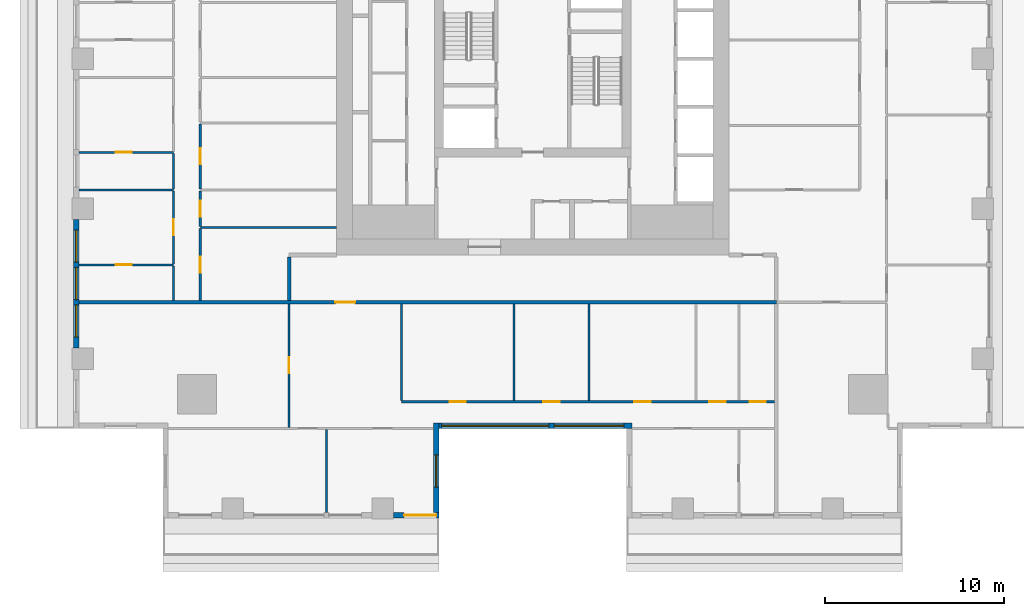
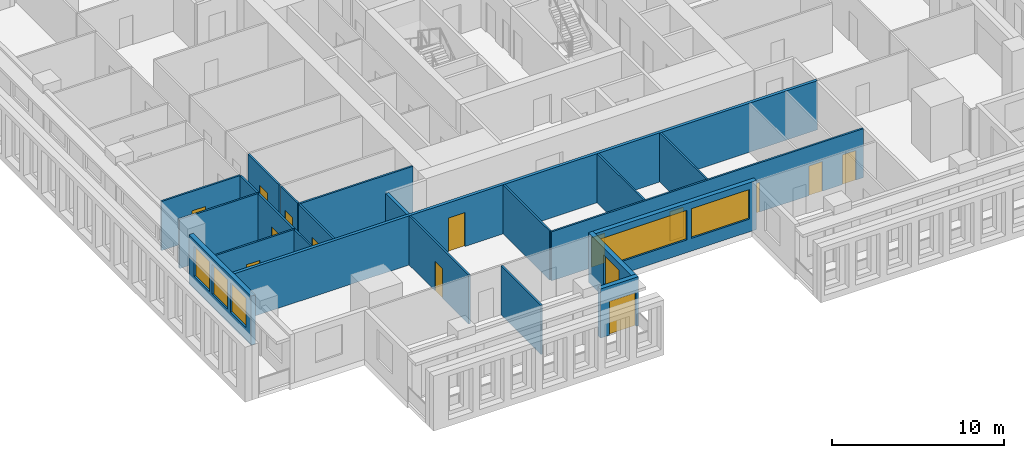
# One storey, part 2 of 15: 22 walls, 14 doors, 6 windows, 20 openings.
"""IFC4 building model written with IfcOpenShell, lengths in metres."""

from ifc_helpers import new_model, si_unit, direction, frame, frame_2d, origin, place, context, subcontext, project, spatial, rectangle, extrude, material, layer, layer_set, type_object, element, fill, save


model = new_model("IFC4")

# Units and contexts
model_context = context("Model", 3, precision=1e-05, world=origin(), true_north=direction((0.0, 1.0)))
body_context = subcontext(model_context, "Body", "Model", "MODEL_VIEW")
ifc_project = project(units=[si_unit("LENGTHUNIT", "METRE"), si_unit("AREAUNIT", "SQUARE_METRE"), si_unit("VOLUMEUNIT", "CUBIC_METRE"), si_unit("PLANEANGLEUNIT", "RADIAN"), si_unit("MASSUNIT", "GRAM", prefix="KILO")], contexts=[model_context])

# Site, building, storey
site_placement = place(None, origin())
site = spatial("IfcSite", under=ifc_project, at=site_placement, CompositionType="ELEMENT")
building_placement = place(site_placement, origin())
building = spatial("IfcBuilding", under=site, at=building_placement, Name="Khepri Terraces", CompositionType="ELEMENT")
storey_placement = place(building_placement, frame((0.0, 0.0, 252.300048828125)))
storey = spatial("IfcBuildingStorey", under=building, at=storey_placement, Name="L60", CompositionType="ELEMENT", Elevation=252.300048828125)

# Wall, opening, door
ifc_material_1 = material(Name="Fire-rated gypsum plasterboard partition, mineral wool")
ifc_layer_1 = layer(ifc_material_1, 0.199951171875, Name="Fire-rated gypsum plasterboard partition, mineral wool")
ifc_layer_set_1 = layer_set([ifc_layer_1], Name="Fire-rated gypsum plasterboard partition, mineral wool")
wall_type_1 = type_object("IfcWallType", Name="WL-CORR-200", PredefinedType="PARTITIONING", material=ifc_layer_set_1)
wall_1_placement = place(storey_placement, frame((-25.419921875, -13.64990234375, 0.0), z_axis=(0.0, 0.0, 1.0), x_axis=(1.0, 0.0, 0.0)))
wall_1 = element("IfcWall", 1, at=wall_1_placement, inside=storey, type_object=wall_type_1, Name="Partition P-016 L60", PredefinedType="PARTITIONING", context=body_context, shape_type="SweptSolid", body=[
    extrude(rectangle(XDim=39.06982421875, YDim=0.199951171875, at=frame_2d((19.534912109375, 0.0))), origin(), (0.0, 0.0, 1.0), 3.47998046875),
])
opening_1_placement = place(wall_1_placement, frame((14.3701171875, 0.0, 0.0)))
opening_1 = element("IfcOpeningElement", 2, at=opening_1_placement, cuts=wall_1, Name="Opening D1", PredefinedType="OPENING", context=body_context, shape_type="SweptSolid", body=[
    extrude(rectangle(XDim=1.10009765625, YDim=2.39990234375, at=frame_2d((0.550048828125, 1.199951171875))), frame((0.0, 0.10986328125, 0.0), z_axis=(0.0, -1.0, 0.0), x_axis=(1.0, 0.0, 0.0)), (0.0, 0.0, 1.0), 0.219970703125),
])
ifc_material_2 = material(Name="Solid-core timber door leaf, flat entrance door", Category="wood")
door_type_1 = type_object("IfcDoorType", Name="DR-ENT-1100", OperationType="NOTDEFINED", PredefinedType="DOOR", material=ifc_material_2)
door_1_placement = place(opening_1_placement, frame((1.10009765625, 0.0, 0.0), z_axis=(0.0, 0.0, 1.0), x_axis=(-1.0, 0.0, 0.0)))
door_1 = element("IfcDoor", 3, at=door_1_placement, inside=storey, type_object=door_type_1, Name="Flat A1 entrance door", OperationType="SINGLE_SWING_RIGHT", OverallHeight=2.39990234375, OverallWidth=1.10009765625, PredefinedType="DOOR", context=body_context, shape_type="SweptSolid", body=[
    extrude(rectangle(XDim=1.10009765625, YDim=2.39990234375, at=frame_2d((0.550048828125, 1.199951171875))), frame((0.0, 0.02490234375, 0.0), z_axis=(0.0, -1.0, 0.0), x_axis=(1.0, 0.0, 0.0)), (0.0, 0.0, 1.0), 0.050048828125),
])
fill(opening_1, door_1)

# Wall
wall_2_placement = place(storey_placement, frame((-13.64990234375, -13.550048828125, 0.0), z_axis=(0.0, 0.0, 1.0), x_axis=(0.0, 1.0, 0.0)))
element("IfcWall", 4, at=wall_2_placement, inside=storey, type_object=wall_type_1, Name="Partition P-021 L60", PredefinedType="PARTITIONING", context=body_context, shape_type="SweptSolid", body=[
    extrude(rectangle(XDim=2.449951171875, YDim=0.199951171875, at=frame_2d((1.22509765625, 0.0))), origin(), (0.0, 0.0, 1.0), 3.47998046875),
])

# Wall, openings, windows
ifc_material_3 = material(Name="Precast concrete C50/60 warm stone", Category="masonry")
ifc_layer_2 = layer(ifc_material_3, 0.300048828125, Name="Precast concrete C50/60 warm stone", Category="masonry")
ifc_layer_set_2 = layer_set([ifc_layer_2], Name="Precast concrete C50/60 warm stone")
wall_type_2 = type_object("IfcWallType", Name="WL-EXT-PRECAST-300", PredefinedType="STANDARD", material=ifc_layer_set_2)
wall_3_placement = place(storey_placement, frame((-25.570068359375, -9.0, 0.0), z_axis=(0.0, 0.0, 1.0), x_axis=(0.0, -1.0, 0.0)))
wall_3 = element("IfcWall", 5, at=wall_3_placement, inside=storey, type_object=wall_type_2, Name="External wall L60 W", PredefinedType="STANDARD", context=body_context, shape_type="SweptSolid", body=[
    extrude(rectangle(XDim=7.199951171875, YDim=0.300048828125, at=frame_2d((3.60009765625, 0.0))), origin(), (0.0, 0.0, 1.0), 3.47998046875),
])
opening_2_placement = place(wall_3_placement, frame((0.60009765625, 0.0, 0.89990234375)))
opening_2 = element("IfcOpeningElement", 6, at=opening_2_placement, cuts=wall_3, Name="Opening W1", PredefinedType="OPENING", context=body_context, shape_type="SweptSolid", body=[
    extrude(rectangle(XDim=1.800048828125, YDim=2.10009765625, at=frame_2d((0.89990234375, 1.050048828125))), frame((0.0, 0.16015625, 0.0), z_axis=(0.0, -1.0, 0.0), x_axis=(1.0, 0.0, 0.0)), (0.0, 0.0, 1.0), 0.320068359375),
])
opening_3_placement = place(wall_3_placement, frame((2.699951171875, 0.0, 0.89990234375)))
opening_3 = element("IfcOpeningElement", 7, at=opening_3_placement, cuts=wall_3, Name="Opening W1", PredefinedType="OPENING", context=body_context, shape_type="SweptSolid", body=[
    extrude(rectangle(XDim=1.800048828125, YDim=2.10009765625, at=frame_2d((0.89990234375, 1.050048828125))), frame((0.0, 0.16015625, 0.0), z_axis=(0.0, -1.0, 0.0), x_axis=(1.0, 0.0, 0.0)), (0.0, 0.0, 1.0), 0.320068359375),
])
opening_4_placement = place(wall_3_placement, frame((4.800048828125, 0.0, 0.89990234375)))
opening_4 = element("IfcOpeningElement", 8, at=opening_4_placement, cuts=wall_3, Name="Opening W1", PredefinedType="OPENING", context=body_context, shape_type="SweptSolid", body=[
    extrude(rectangle(XDim=1.800048828125, YDim=2.10009765625, at=frame_2d((0.89990234375, 1.050048828125))), frame((0.0, 0.16015625, 0.0), z_axis=(0.0, -1.0, 0.0), x_axis=(1.0, 0.0, 0.0)), (0.0, 0.0, 1.0), 0.320068359375),
])
ifc_material_4 = material(Name="Clear glass", Category="glass")
window_type_1 = type_object("IfcWindowType", Name="WIN-RES-1800x2100", PartitioningType="SINGLE_PANEL", PredefinedType="WINDOW", material=ifc_material_4)
window_1_placement = place(opening_2_placement, origin())
window_1 = element("IfcWindow", 9, at=window_1_placement, inside=storey, type_object=window_type_1, Name="Window L60 W", OverallHeight=2.10009765625, OverallWidth=1.800048828125, PartitioningType="SINGLE_PANEL", PredefinedType="WINDOW", context=body_context, shape_type="SweptSolid", body=[
    extrude(rectangle(XDim=1.800048828125, YDim=2.10009765625, at=frame_2d((0.89990234375, 1.050048828125))), frame((0.0, 0.030029296875, 0.0), z_axis=(0.0, -1.0, 0.0), x_axis=(1.0, 0.0, 0.0)), (0.0, 0.0, 1.0), 0.06005859375),
])
fill(opening_2, window_1)
window_2_placement = place(opening_3_placement, origin())
window_2 = element("IfcWindow", 10, at=window_2_placement, inside=storey, type_object=window_type_1, Name="Window L60 W", OverallHeight=2.10009765625, OverallWidth=1.800048828125, PartitioningType="SINGLE_PANEL", PredefinedType="WINDOW", context=body_context, shape_type="SweptSolid", body=[
    extrude(rectangle(XDim=1.800048828125, YDim=2.10009765625, at=frame_2d((0.89990234375, 1.050048828125))), frame((0.0, 0.030029296875, 0.0), z_axis=(0.0, -1.0, 0.0), x_axis=(1.0, 0.0, 0.0)), (0.0, 0.0, 1.0), 0.06005859375),
])
fill(opening_3, window_2)
window_3_placement = place(opening_4_placement, origin())
window_3 = element("IfcWindow", 11, at=window_3_placement, inside=storey, type_object=window_type_1, Name="Window L60 W", OverallHeight=2.10009765625, OverallWidth=1.800048828125, PartitioningType="SINGLE_PANEL", PredefinedType="WINDOW", context=body_context, shape_type="SweptSolid", body=[
    extrude(rectangle(XDim=1.800048828125, YDim=2.10009765625, at=frame_2d((0.89990234375, 1.050048828125))), frame((0.0, 0.030029296875, 0.0), z_axis=(0.0, -1.0, 0.0), x_axis=(1.0, 0.0, 0.0)), (0.0, 0.0, 1.0), 0.06005859375),
])
fill(opening_4, window_3)

# Wall, opening, door
wall_4_placement = place(storey_placement, frame((-7.800048828125, -25.570068359375, 0.0), z_axis=(0.0, 0.0, 1.0), x_axis=(1.0, 0.0, 0.0)))
wall_4 = element("IfcWall", 12, at=wall_4_placement, inside=storey, type_object=wall_type_2, Name="External wall L60 S", PredefinedType="STANDARD", context=body_context, shape_type="SweptSolid", body=[
    extrude(rectangle(XDim=2.550048828125, YDim=0.300048828125, at=frame_2d((1.27490234375, 0.0))), origin(), (0.0, 0.0, 1.0), 3.47998046875),
])
opening_5_placement = place(wall_4_placement, frame((0.60009765625, 0.0, 0.0)))
opening_5 = element("IfcOpeningElement", 13, at=opening_5_placement, cuts=wall_4, Name="Opening ED-L60-18", PredefinedType="OPENING", context=body_context, shape_type="SweptSolid", body=[
    extrude(rectangle(XDim=1.800048828125, YDim=2.39990234375, at=frame_2d((0.89990234375, 1.199951171875))), frame((0.0, 0.16015625, 0.0), z_axis=(0.0, -1.0, 0.0), x_axis=(1.0, 0.0, 0.0)), (0.0, 0.0, 1.0), 0.320068359375),
])
ifc_material_5 = material(Name="Anodised aluminium bronze glazed door", Category="aluminium")
door_type_2 = type_object("IfcDoorType", Name="DR-BAL-SLIDE-1800x2400", OperationType="NOTDEFINED", PredefinedType="DOOR", material=ifc_material_5)
door_2_placement = place(opening_5_placement, origin())
door_2 = element("IfcDoor", 14, at=door_2_placement, inside=storey, type_object=door_type_2, Name="Balcony door L60 S", OperationType="SLIDING_TO_LEFT", OverallHeight=2.39990234375, OverallWidth=1.800048828125, PredefinedType="DOOR", context=body_context, shape_type="SweptSolid", body=[
    extrude(rectangle(XDim=1.800048828125, YDim=2.39990234375, at=frame_2d((0.89990234375, 1.199951171875))), frame((0.0, 0.02490234375, 0.0), z_axis=(0.0, -1.0, 0.0), x_axis=(1.0, 0.0, 0.0)), (0.0, 0.0, 1.0), 0.050048828125),
])
fill(opening_5, door_2)

# Wall, opening, window
wall_5_placement = place(storey_placement, frame((-5.39990234375, -25.419921875, 0.0), z_axis=(0.0, 0.0, 1.0), x_axis=(0.0, 1.0, 0.0)))
wall_5 = element("IfcWall", 15, at=wall_5_placement, inside=storey, type_object=wall_type_2, Name="External wall L60 E", PredefinedType="STANDARD", context=body_context, shape_type="SweptSolid", body=[
    extrude(rectangle(XDim=5.0, YDim=0.300048828125, at=frame_2d((2.5, 0.0))), origin(), (0.0, 0.0, 1.0), 3.47998046875),
])
opening_6_placement = place(wall_5_placement, frame((1.419921875, 0.0, 0.89990234375)))
opening_6 = element("IfcOpeningElement", 16, at=opening_6_placement, cuts=wall_5, Name="Opening W1", PredefinedType="OPENING", context=body_context, shape_type="SweptSolid", body=[
    extrude(rectangle(XDim=1.800048828125, YDim=2.10009765625, at=frame_2d((0.89990234375, 1.050048828125))), frame((0.0, 0.16015625, 0.0), z_axis=(0.0, -1.0, 0.0), x_axis=(1.0, 0.0, 0.0)), (0.0, 0.0, 1.0), 0.320068359375),
])
window_4_placement = place(opening_6_placement, origin())
window_4 = element("IfcWindow", 17, at=window_4_placement, inside=storey, type_object=window_type_1, Name="Window L60 E", OverallHeight=2.10009765625, OverallWidth=1.800048828125, PartitioningType="SINGLE_PANEL", PredefinedType="WINDOW", context=body_context, shape_type="SweptSolid", body=[
    extrude(rectangle(XDim=1.800048828125, YDim=2.10009765625, at=frame_2d((0.89990234375, 1.050048828125))), frame((0.0, 0.030029296875, 0.0), z_axis=(0.0, -1.0, 0.0), x_axis=(1.0, 0.0, 0.0)), (0.0, 0.0, 1.0), 0.06005859375),
])
fill(opening_6, window_4)

# Wall, openings, windows
wall_6_placement = place(storey_placement, frame((-5.25, -20.570068359375, 0.0), z_axis=(0.0, 0.0, 1.0), x_axis=(1.0, 0.0, 0.0)))
wall_6 = element("IfcWall", 18, at=wall_6_placement, inside=storey, type_object=wall_type_2, Name="External wall L60 S", PredefinedType="STANDARD", context=body_context, shape_type="SweptSolid", body=[
    extrude(rectangle(XDim=10.800048828125, YDim=0.300048828125, at=frame_2d((5.39990234375, 0.0))), origin(), (0.0, 0.0, 1.0), 3.47998046875),
])
opening_7_placement = place(wall_6_placement, frame((0.14990234375, 0.0, 0.89990234375)))
opening_7 = element("IfcOpeningElement", 19, at=opening_7_placement, cuts=wall_6, Name="Opening W3", PredefinedType="OPENING", context=body_context, shape_type="SweptSolid", body=[
    extrude(rectangle(XDim=6.0, YDim=2.10009765625, at=frame_2d((3.0, 1.050048828125))), frame((0.0, 0.16015625, 0.0), z_axis=(0.0, -1.0, 0.0), x_axis=(1.0, 0.0, 0.0)), (0.0, 0.0, 1.0), 0.320068359375),
])
opening_8_placement = place(wall_6_placement, frame((6.449951171875, 0.0, 0.89990234375)))
opening_8 = element("IfcOpeningElement", 20, at=opening_8_placement, cuts=wall_6, Name="Opening W2", PredefinedType="OPENING", context=body_context, shape_type="SweptSolid", body=[
    extrude(rectangle(XDim=3.89990234375, YDim=2.10009765625, at=frame_2d((1.949951171875, 1.050048828125))), frame((0.0, 0.16015625, 0.0), z_axis=(0.0, -1.0, 0.0), x_axis=(1.0, 0.0, 0.0)), (0.0, 0.0, 1.0), 0.320068359375),
])
window_type_2 = type_object("IfcWindowType", Name="WIN-RES-3900x2100", PartitioningType="SINGLE_PANEL", PredefinedType="WINDOW", material=ifc_material_4)
window_5_placement = place(opening_8_placement, origin())
window_5 = element("IfcWindow", 21, at=window_5_placement, inside=storey, type_object=window_type_2, Name="Window L60 S", OverallHeight=2.10009765625, OverallWidth=3.89990234375, PartitioningType="SINGLE_PANEL", PredefinedType="WINDOW", context=body_context, shape_type="SweptSolid", body=[
    extrude(rectangle(XDim=3.89990234375, YDim=2.10009765625, at=frame_2d((1.949951171875, 1.050048828125))), frame((0.0, 0.030029296875, 0.0), z_axis=(0.0, -1.0, 0.0), x_axis=(1.0, 0.0, 0.0)), (0.0, 0.0, 1.0), 0.06005859375),
])
fill(opening_8, window_5)
window_type_3 = type_object("IfcWindowType", Name="WIN-RES-6000x2100", PartitioningType="SINGLE_PANEL", PredefinedType="WINDOW", material=ifc_material_4)
window_6_placement = place(opening_7_placement, origin())
window_6 = element("IfcWindow", 22, at=window_6_placement, inside=storey, type_object=window_type_3, Name="Window L60 S", OverallHeight=2.10009765625, OverallWidth=6.0, PartitioningType="SINGLE_PANEL", PredefinedType="WINDOW", context=body_context, shape_type="SweptSolid", body=[
    extrude(rectangle(XDim=6.0, YDim=2.10009765625, at=frame_2d((3.0, 1.050048828125))), frame((0.0, 0.030029296875, 0.0), z_axis=(0.0, -1.0, 0.0), x_axis=(1.0, 0.0, 0.0)), (0.0, 0.0, 1.0), 0.06005859375),
])
fill(opening_7, window_6)

# Wall
ifc_material_6 = material(Name="Gypsum plasterboard partition")
ifc_layer_3 = layer(ifc_material_6, 0.1201171875, Name="Gypsum plasterboard partition")
ifc_layer_set_3 = layer_set([ifc_layer_3], Name="Gypsum plasterboard partition")
wall_type_3 = type_object("IfcWallType", Name="WL-PART-120", PredefinedType="PARTITIONING", material=ifc_layer_set_3)
wall_7_placement = place(storey_placement, frame((-11.550048828125, -25.419921875, 0.0), z_axis=(0.0, 0.0, 1.0), x_axis=(0.0, 1.0, 0.0)))
element("IfcWall", 23, at=wall_7_placement, inside=storey, type_object=wall_type_3, Name="Partition P-001 L60", PredefinedType="PARTITIONING", context=body_context, shape_type="SweptSolid", body=[
    extrude(rectangle(XDim=4.639892578125, YDim=0.1201171875, at=frame_2d((2.31982421875, 0.0))), origin(), (0.0, 0.0, 1.0), 3.47998046875),
])

# Wall, opening, door
wall_8_placement = place(storey_placement, frame((-13.64990234375, -20.659912109375, 0.0), z_axis=(0.0, 0.0, 1.0), x_axis=(0.0, 1.0, 0.0)))
wall_8 = element("IfcWall", 24, at=wall_8_placement, inside=storey, type_object=wall_type_3, Name="Partition P-007 L60", PredefinedType="PARTITIONING", context=body_context, shape_type="SweptSolid", body=[
    extrude(rectangle(XDim=6.909912109375, YDim=0.1201171875, at=frame_2d((3.455078125, 0.0))), origin(), (0.0, 0.0, 1.0), 3.47998046875),
])
opening_9_placement = place(wall_8_placement, frame((3.02490234375, 0.0, 0.0)))
opening_9 = element("IfcOpeningElement", 25, at=opening_9_placement, cuts=wall_8, Name="Opening D3", PredefinedType="OPENING", context=body_context, shape_type="SweptSolid", body=[
    extrude(rectangle(XDim=0.89990234375, YDim=2.10009765625, at=frame_2d((0.449951171875, 1.050048828125))), frame((0.0, 0.070068359375, 0.0), z_axis=(0.0, -1.0, 0.0), x_axis=(1.0, 0.0, 0.0)), (0.0, 0.0, 1.0), 0.14013671875),
])
ifc_material_7 = material(Name="Timber door leaf", Category="wood")
door_type_3 = type_object("IfcDoorType", Name="DR-INT-900", OperationType="NOTDEFINED", PredefinedType="DOOR", material=ifc_material_7)
door_3_placement = place(opening_9_placement, origin())
door_3 = element("IfcDoor", 26, at=door_3_placement, inside=storey, type_object=door_type_3, Name="Door Home Gym", OperationType="SINGLE_SWING_RIGHT", OverallHeight=2.10009765625, OverallWidth=0.89990234375, PredefinedType="DOOR", context=body_context, shape_type="SweptSolid", body=[
    extrude(rectangle(XDim=0.89990234375, YDim=2.10009765625, at=frame_2d((0.449951171875, 1.050048828125))), frame((0.0, 0.02490234375, 0.0), z_axis=(0.0, -1.0, 0.0), x_axis=(1.0, 0.0, 0.0)), (0.0, 0.0, 1.0), 0.050048828125),
])
fill(opening_9, door_3)

# Wall, openings, doors
wall_9_placement = place(storey_placement, frame((-7.35009765625, -19.219970703125, 0.0), z_axis=(0.0, 0.0, 1.0), x_axis=(1.0, 0.0, 0.0)))
wall_9 = element("IfcWall", 27, at=wall_9_placement, inside=storey, type_object=wall_type_3, Name="Partition P-009 L60", PredefinedType="PARTITIONING", context=body_context, shape_type="SweptSolid", body=[
    extrude(rectangle(XDim=20.900146484375, YDim=0.1201171875, at=frame_2d((10.4501953125, 0.0))), origin(), (0.0, 0.0, 1.0), 3.47998046875),
])
opening_10_placement = place(wall_9_placement, frame((2.699951171875, 0.0, 0.0)))
opening_10 = element("IfcOpeningElement", 28, at=opening_10_placement, cuts=wall_9, Name="Opening D3", PredefinedType="OPENING", context=body_context, shape_type="SweptSolid", body=[
    extrude(rectangle(XDim=0.89990234375, YDim=2.10009765625, at=frame_2d((0.449951171875, 1.050048828125))), frame((0.0, 0.070068359375, 0.0), z_axis=(0.0, -1.0, 0.0), x_axis=(1.0, 0.0, 0.0)), (0.0, 0.0, 1.0), 0.14013671875),
])
opening_11_placement = place(wall_9_placement, frame((7.949951171875, 0.0, 0.0)))
opening_11 = element("IfcOpeningElement", 29, at=opening_11_placement, cuts=wall_9, Name="Opening D3", PredefinedType="OPENING", context=body_context, shape_type="SweptSolid", body=[
    extrude(rectangle(XDim=0.89990234375, YDim=2.10009765625, at=frame_2d((0.449951171875, 1.050048828125))), frame((0.0, 0.070068359375, 0.0), z_axis=(0.0, -1.0, 0.0), x_axis=(1.0, 0.0, 0.0)), (0.0, 0.0, 1.0), 0.14013671875),
])
opening_12_placement = place(wall_9_placement, frame((13.050048828125, 0.0, 0.0)))
opening_12 = element("IfcOpeningElement", 30, at=opening_12_placement, cuts=wall_9, Name="Opening D3", PredefinedType="OPENING", context=body_context, shape_type="SweptSolid", body=[
    extrude(rectangle(XDim=0.89990234375, YDim=2.10009765625, at=frame_2d((0.449951171875, 1.050048828125))), frame((0.0, 0.070068359375, 0.0), z_axis=(0.0, -1.0, 0.0), x_axis=(1.0, 0.0, 0.0)), (0.0, 0.0, 1.0), 0.14013671875),
])
opening_13_placement = place(wall_9_placement, frame((17.25, 0.0, 0.0)))
opening_13 = element("IfcOpeningElement", 31, at=opening_13_placement, cuts=wall_9, Name="Opening D4", PredefinedType="OPENING", context=body_context, shape_type="SweptSolid", body=[
    extrude(rectangle(XDim=0.89990234375, YDim=2.10009765625, at=frame_2d((0.449951171875, 1.050048828125))), frame((0.0, 0.070068359375, 0.0), z_axis=(0.0, -1.0, 0.0), x_axis=(1.0, 0.0, 0.0)), (0.0, 0.0, 1.0), 0.14013671875),
])
opening_14_placement = place(wall_9_placement, frame((19.5, 0.0, 0.0)))
opening_14 = element("IfcOpeningElement", 32, at=opening_14_placement, cuts=wall_9, Name="Opening D4", PredefinedType="OPENING", context=body_context, shape_type="SweptSolid", body=[
    extrude(rectangle(XDim=0.89990234375, YDim=2.10009765625, at=frame_2d((0.449951171875, 1.050048828125))), frame((0.0, 0.070068359375, 0.0), z_axis=(0.0, -1.0, 0.0), x_axis=(1.0, 0.0, 0.0)), (0.0, 0.0, 1.0), 0.14013671875),
])
door_4_placement = place(opening_10_placement, origin())
door_4 = element("IfcDoor", 33, at=door_4_placement, inside=storey, type_object=door_type_3, Name="Door Kitchen", OperationType="SINGLE_SWING_LEFT", OverallHeight=2.10009765625, OverallWidth=0.89990234375, PredefinedType="DOOR", context=body_context, shape_type="SweptSolid", body=[
    extrude(rectangle(XDim=0.89990234375, YDim=2.10009765625, at=frame_2d((0.449951171875, 1.050048828125))), frame((0.0, 0.02490234375, 0.0), z_axis=(0.0, -1.0, 0.0), x_axis=(1.0, 0.0, 0.0)), (0.0, 0.0, 1.0), 0.050048828125),
])
fill(opening_10, door_4)
door_5_placement = place(opening_11_placement, origin())
door_5 = element("IfcDoor", 34, at=door_5_placement, inside=storey, type_object=door_type_3, Name="Door Service Kitchen", OperationType="SINGLE_SWING_LEFT", OverallHeight=2.10009765625, OverallWidth=0.89990234375, PredefinedType="DOOR", context=body_context, shape_type="SweptSolid", body=[
    extrude(rectangle(XDim=0.89990234375, YDim=2.10009765625, at=frame_2d((0.449951171875, 1.050048828125))), frame((0.0, 0.02490234375, 0.0), z_axis=(0.0, -1.0, 0.0), x_axis=(1.0, 0.0, 0.0)), (0.0, 0.0, 1.0), 0.050048828125),
])
fill(opening_11, door_5)
door_6_placement = place(opening_12_placement, origin())
door_6 = element("IfcDoor", 35, at=door_6_placement, inside=storey, type_object=door_type_3, Name="Door Staff Bedroom", OperationType="SINGLE_SWING_RIGHT", OverallHeight=2.10009765625, OverallWidth=0.89990234375, PredefinedType="DOOR", context=body_context, shape_type="SweptSolid", body=[
    extrude(rectangle(XDim=0.89990234375, YDim=2.10009765625, at=frame_2d((0.449951171875, 1.050048828125))), frame((0.0, 0.02490234375, 0.0), z_axis=(0.0, -1.0, 0.0), x_axis=(1.0, 0.0, 0.0)), (0.0, 0.0, 1.0), 0.050048828125),
])
fill(opening_12, door_6)
ifc_material_8 = material(Name="Timber door leaf, moisture resistant", Category="wood")
door_type_4 = type_object("IfcDoorType", Name="DR-WET-900", OperationType="NOTDEFINED", PredefinedType="DOOR", material=ifc_material_8)
door_7_placement = place(opening_13_placement, origin())
door_7 = element("IfcDoor", 36, at=door_7_placement, inside=storey, type_object=door_type_4, Name="Door Powder Room", OperationType="SINGLE_SWING_RIGHT", OverallHeight=2.10009765625, OverallWidth=0.89990234375, PredefinedType="DOOR", context=body_context, shape_type="SweptSolid", body=[
    extrude(rectangle(XDim=0.89990234375, YDim=2.10009765625, at=frame_2d((0.449951171875, 1.050048828125))), frame((0.0, 0.02490234375, 0.0), z_axis=(0.0, -1.0, 0.0), x_axis=(1.0, 0.0, 0.0)), (0.0, 0.0, 1.0), 0.050048828125),
])
fill(opening_13, door_7)
door_8_placement = place(opening_14_placement, origin())
door_8 = element("IfcDoor", 37, at=door_8_placement, inside=storey, type_object=door_type_4, Name="Door Guest Bathroom", OperationType="SINGLE_SWING_RIGHT", OverallHeight=2.10009765625, OverallWidth=0.89990234375, PredefinedType="DOOR", context=body_context, shape_type="SweptSolid", body=[
    extrude(rectangle(XDim=0.89990234375, YDim=2.10009765625, at=frame_2d((0.449951171875, 1.050048828125))), frame((0.0, 0.02490234375, 0.0), z_axis=(0.0, -1.0, 0.0), x_axis=(1.0, 0.0, 0.0)), (0.0, 0.0, 1.0), 0.050048828125),
])
fill(opening_14, door_8)

# Walls
for number, where, z_axis, x_axis, name in (
    (38, (-7.35009765625, -19.159912109375, 0.0), (0.0, 0.0, 1.0), (0.0, 1.0, 0.0), "Partition P-010 L60"),
    (39, (-1.050048828125, -19.159912109375, 0.0), (0.0, 0.0, 1.0), (0.0, 1.0, 0.0), "Partition P-011 L60"),
    (40, (3.14990234375, -19.159912109375, 0.0), (0.0, 0.0, 1.0), (0.0, 1.0, 0.0), "Partition P-012 L60"),
):
    element("IfcWall", number, at=place(storey_placement, frame(where, z_axis=z_axis, x_axis=x_axis)), inside=storey, type_object=wall_type_3, Name=name, PredefinedType="PARTITIONING", context=body_context, shape_type="SweptSolid", body=[
        extrude(rectangle(XDim=5.409912109375, YDim=0.1201171875, at=frame_2d((2.705078125, 0.0))), origin(), (0.0, 0.0, 1.0), 3.47998046875),
    ])
wall_10_placement = place(storey_placement, frame((-20.1201171875, -13.550048828125, 0.0), z_axis=(0.0, 0.0, 1.0), x_axis=(0.0, 1.0, 0.0)))
element("IfcWall", 41, at=wall_10_placement, inside=storey, type_object=wall_type_3, Name="Partition P-019 L60", PredefinedType="PARTITIONING", context=body_context, shape_type="SweptSolid", body=[
    extrude(rectangle(XDim=1.93994140625, YDim=0.1201171875, at=frame_2d((0.969970703125, 0.0))), origin(), (0.0, 0.0, 1.0), 3.47998046875),
])

# Wall, opening, door
wall_11_placement = place(storey_placement, frame((-18.6201171875, -13.550048828125, 0.0), z_axis=(0.0, 0.0, 1.0), x_axis=(0.0, 1.0, 0.0)))
wall_11 = element("IfcWall", 42, at=wall_11_placement, inside=storey, type_object=wall_type_3, Name="Partition P-020 L60", PredefinedType="PARTITIONING", context=body_context, shape_type="SweptSolid", body=[
    extrude(rectangle(XDim=4.0400390625, YDim=0.1201171875, at=frame_2d((2.02001953125, 0.0))), origin(), (0.0, 0.0, 1.0), 3.47998046875),
])
opening_15_placement = place(wall_11_placement, frame((1.550048828125, 0.0, 0.0)))
opening_15 = element("IfcOpeningElement", 43, at=opening_15_placement, cuts=wall_11, Name="Opening D3", PredefinedType="OPENING", context=body_context, shape_type="SweptSolid", body=[
    extrude(rectangle(XDim=0.89990234375, YDim=2.10009765625, at=frame_2d((0.449951171875, 1.050048828125))), frame((0.0, 0.070068359375, 0.0), z_axis=(0.0, -1.0, 0.0), x_axis=(1.0, 0.0, 0.0)), (0.0, 0.0, 1.0), 0.14013671875),
])
door_9_placement = place(opening_15_placement, frame((0.89990234375, 0.0, 0.0), z_axis=(0.0, 0.0, 1.0), x_axis=(-1.0, 0.0, 0.0)))
door_9 = element("IfcDoor", 44, at=door_9_placement, inside=storey, type_object=door_type_3, Name="Door Library", OperationType="SINGLE_SWING_RIGHT", OverallHeight=2.10009765625, OverallWidth=0.89990234375, PredefinedType="DOOR", context=body_context, shape_type="SweptSolid", body=[
    extrude(rectangle(XDim=0.89990234375, YDim=2.10009765625, at=frame_2d((0.449951171875, 1.050048828125))), frame((0.0, 0.02490234375, 0.0), z_axis=(0.0, -1.0, 0.0), x_axis=(1.0, 0.0, 0.0)), (0.0, 0.0, 1.0), 0.050048828125),
])
fill(opening_15, door_9)

wall_12_placement = place(storey_placement, frame((-25.419921875, -11.550048828125, 0.0), z_axis=(0.0, 0.0, 1.0), x_axis=(1.0, 0.0, 0.0)))
wall_12 = element("IfcWall", 45, at=wall_12_placement, inside=storey, type_object=wall_type_3, Name="Partition P-023 L60", PredefinedType="PARTITIONING", context=body_context, shape_type="SweptSolid", body=[
    extrude(rectangle(XDim=5.2998046875, YDim=0.1201171875, at=frame_2d((2.64990234375, 0.0))), origin(), (0.0, 0.0, 1.0), 3.47998046875),
])
opening_16_placement = place(wall_12_placement, frame((2.050048828125, 0.0, 0.0)))
opening_16 = element("IfcOpeningElement", 46, at=opening_16_placement, cuts=wall_12, Name="Opening D4", PredefinedType="OPENING", context=body_context, shape_type="SweptSolid", body=[
    extrude(rectangle(XDim=0.89990234375, YDim=2.10009765625, at=frame_2d((0.449951171875, 1.050048828125))), frame((0.0, 0.070068359375, 0.0), z_axis=(0.0, -1.0, 0.0), x_axis=(1.0, 0.0, 0.0)), (0.0, 0.0, 1.0), 0.14013671875),
])
door_10_placement = place(opening_16_placement, frame((0.89990234375, 0.0, 0.0), z_axis=(0.0, 0.0, 1.0), x_axis=(-1.0, 0.0, 0.0)))
door_10 = element("IfcDoor", 47, at=door_10_placement, inside=storey, type_object=door_type_4, Name="Door Bathroom", OperationType="SINGLE_SWING_RIGHT", OverallHeight=2.10009765625, OverallWidth=0.89990234375, PredefinedType="DOOR", context=body_context, shape_type="SweptSolid", body=[
    extrude(rectangle(XDim=0.89990234375, YDim=2.10009765625, at=frame_2d((0.449951171875, 1.050048828125))), frame((0.0, 0.02490234375, 0.0), z_axis=(0.0, -1.0, 0.0), x_axis=(1.0, 0.0, 0.0)), (0.0, 0.0, 1.0), 0.050048828125),
])
fill(opening_16, door_10)

wall_13_placement = place(storey_placement, frame((-20.1201171875, -11.489990234375, 0.0), z_axis=(0.0, 0.0, 1.0), x_axis=(0.0, 1.0, 0.0)))
wall_13 = element("IfcWall", 48, at=wall_13_placement, inside=storey, type_object=wall_type_3, Name="Partition P-025 L60", PredefinedType="PARTITIONING", context=body_context, shape_type="SweptSolid", body=[
    extrude(rectangle(XDim=4.080078125, YDim=0.1201171875, at=frame_2d((2.0400390625, 0.0))), origin(), (0.0, 0.0, 1.0), 3.47998046875),
])
opening_17_placement = place(wall_13_placement, frame((1.590087890625, 0.0, 0.0)))
opening_17 = element("IfcOpeningElement", 49, at=opening_17_placement, cuts=wall_13, Name="Opening D3", PredefinedType="OPENING", context=body_context, shape_type="SweptSolid", body=[
    extrude(rectangle(XDim=0.89990234375, YDim=2.10009765625, at=frame_2d((0.449951171875, 1.050048828125))), frame((0.0, 0.070068359375, 0.0), z_axis=(0.0, -1.0, 0.0), x_axis=(1.0, 0.0, 0.0)), (0.0, 0.0, 1.0), 0.14013671875),
])
door_11_placement = place(opening_17_placement, origin())
door_11 = element("IfcDoor", 50, at=door_11_placement, inside=storey, type_object=door_type_3, Name="Door Bedroom", OperationType="SINGLE_SWING_RIGHT", OverallHeight=2.10009765625, OverallWidth=0.89990234375, PredefinedType="DOOR", context=body_context, shape_type="SweptSolid", body=[
    extrude(rectangle(XDim=0.89990234375, YDim=2.10009765625, at=frame_2d((0.449951171875, 1.050048828125))), frame((0.0, 0.02490234375, 0.0), z_axis=(0.0, -1.0, 0.0), x_axis=(1.0, 0.0, 0.0)), (0.0, 0.0, 1.0), 0.050048828125),
])
fill(opening_17, door_11)

# Wall
wall_14_placement = place(storey_placement, frame((-18.6201171875, -9.449951171875, 0.0), z_axis=(0.0, 0.0, 1.0), x_axis=(1.0, 0.0, 0.0)))
element("IfcWall", 51, at=wall_14_placement, inside=storey, type_object=wall_type_3, Name="Partition P-029 L60", PredefinedType="PARTITIONING", context=body_context, shape_type="SweptSolid", body=[
    extrude(rectangle(XDim=7.6201171875, YDim=0.1201171875, at=frame_2d((3.81005859375, 0.0))), origin(), (0.0, 0.0, 1.0), 3.47998046875),
])

# Wall, opening, door
wall_15_placement = place(storey_placement, frame((-18.6201171875, -9.389892578125, 0.0), z_axis=(0.0, 0.0, 1.0), x_axis=(0.0, 1.0, 0.0)))
wall_15 = element("IfcWall", 52, at=wall_15_placement, inside=storey, type_object=wall_type_3, Name="Partition P-030 L60", PredefinedType="PARTITIONING", context=body_context, shape_type="SweptSolid", body=[
    extrude(rectangle(XDim=1.97998046875, YDim=0.1201171875, at=frame_2d((0.989990234375, 0.0))), origin(), (0.0, 0.0, 1.0), 3.47998046875),
])
opening_18_placement = place(wall_15_placement, frame((0.5400390625, 0.0, 0.0)))
opening_18 = element("IfcOpeningElement", 53, at=opening_18_placement, cuts=wall_15, Name="Opening D4", PredefinedType="OPENING", context=body_context, shape_type="SweptSolid", body=[
    extrude(rectangle(XDim=0.89990234375, YDim=2.10009765625, at=frame_2d((0.449951171875, 1.050048828125))), frame((0.0, 0.070068359375, 0.0), z_axis=(0.0, -1.0, 0.0), x_axis=(1.0, 0.0, 0.0)), (0.0, 0.0, 1.0), 0.14013671875),
])
door_12_placement = place(opening_18_placement, frame((0.89990234375, 0.0, 0.0), z_axis=(0.0, 0.0, 1.0), x_axis=(-1.0, 0.0, 0.0)))
door_12 = element("IfcDoor", 54, at=door_12_placement, inside=storey, type_object=door_type_4, Name="Door Guest Bathroom", OperationType="SINGLE_SWING_LEFT", OverallHeight=2.10009765625, OverallWidth=0.89990234375, PredefinedType="DOOR", context=body_context, shape_type="SweptSolid", body=[
    extrude(rectangle(XDim=0.89990234375, YDim=2.10009765625, at=frame_2d((0.449951171875, 1.050048828125))), frame((0.0, 0.02490234375, 0.0), z_axis=(0.0, -1.0, 0.0), x_axis=(1.0, 0.0, 0.0)), (0.0, 0.0, 1.0), 0.050048828125),
])
fill(opening_18, door_12)

# Walls
wall_16_placement = place(storey_placement, frame((-25.419921875, -7.35009765625, 0.0), z_axis=(0.0, 0.0, 1.0), x_axis=(1.0, 0.0, 0.0)))
element("IfcWall", 55, at=wall_16_placement, inside=storey, type_object=wall_type_3, Name="Partition P-031 L60", PredefinedType="PARTITIONING", context=body_context, shape_type="SweptSolid", body=[
    extrude(rectangle(XDim=5.2998046875, YDim=0.1201171875, at=frame_2d((2.64990234375, 0.0))), origin(), (0.0, 0.0, 1.0), 3.47998046875),
])
wall_17_placement = place(storey_placement, frame((-20.1201171875, -7.2900390625, 0.0), z_axis=(0.0, 0.0, 1.0), x_axis=(0.0, 1.0, 0.0)))
element("IfcWall", 56, at=wall_17_placement, inside=storey, type_object=wall_type_3, Name="Partition P-034 L60", PredefinedType="PARTITIONING", context=body_context, shape_type="SweptSolid", body=[
    extrude(rectangle(XDim=1.97998046875, YDim=0.1201171875, at=frame_2d((0.989990234375, 0.0))), origin(), (0.0, 0.0, 1.0), 3.47998046875),
])

# Wall, opening, door
wall_18_placement = place(storey_placement, frame((-18.6201171875, -7.2900390625, 0.0), z_axis=(0.0, 0.0, 1.0), x_axis=(0.0, 1.0, 0.0)))
wall_18 = element("IfcWall", 57, at=wall_18_placement, inside=storey, type_object=wall_type_3, Name="Partition P-035 L60", PredefinedType="PARTITIONING", context=body_context, shape_type="SweptSolid", body=[
    extrude(rectangle(XDim=3.630126953125, YDim=0.1201171875, at=frame_2d((1.81494140625, 0.0))), origin(), (0.0, 0.0, 1.0), 3.47998046875),
])
opening_19_placement = place(wall_18_placement, frame((1.364990234375, 0.0, 0.0)))
opening_19 = element("IfcOpeningElement", 58, at=opening_19_placement, cuts=wall_18, Name="Opening D3", PredefinedType="OPENING", context=body_context, shape_type="SweptSolid", body=[
    extrude(rectangle(XDim=0.89990234375, YDim=2.10009765625, at=frame_2d((0.449951171875, 1.050048828125))), frame((0.0, 0.070068359375, 0.0), z_axis=(0.0, -1.0, 0.0), x_axis=(1.0, 0.0, 0.0)), (0.0, 0.0, 1.0), 0.14013671875),
])
door_13_placement = place(opening_19_placement, frame((0.89990234375, 0.0, 0.0), z_axis=(0.0, 0.0, 1.0), x_axis=(-1.0, 0.0, 0.0)))
door_13 = element("IfcDoor", 59, at=door_13_placement, inside=storey, type_object=door_type_3, Name="Door Utility Room", OperationType="SINGLE_SWING_LEFT", OverallHeight=2.10009765625, OverallWidth=0.89990234375, PredefinedType="DOOR", context=body_context, shape_type="SweptSolid", body=[
    extrude(rectangle(XDim=0.89990234375, YDim=2.10009765625, at=frame_2d((0.449951171875, 1.050048828125))), frame((0.0, 0.02490234375, 0.0), z_axis=(0.0, -1.0, 0.0), x_axis=(1.0, 0.0, 0.0)), (0.0, 0.0, 1.0), 0.050048828125),
])
fill(opening_19, door_13)

wall_19_placement = place(storey_placement, frame((-25.419921875, -5.25, 0.0), z_axis=(0.0, 0.0, 1.0), x_axis=(1.0, 0.0, 0.0)))
wall_19 = element("IfcWall", 60, at=wall_19_placement, inside=storey, type_object=wall_type_3, Name="Partition P-037 L60", PredefinedType="PARTITIONING", context=body_context, shape_type="SweptSolid", body=[
    extrude(rectangle(XDim=5.2998046875, YDim=0.1201171875, at=frame_2d((2.64990234375, 0.0))), origin(), (0.0, 0.0, 1.0), 3.47998046875),
])
opening_20_placement = place(wall_19_placement, frame((2.050048828125, 0.0, 0.0)))
opening_20 = element("IfcOpeningElement", 61, at=opening_20_placement, cuts=wall_19, Name="Opening D4", PredefinedType="OPENING", context=body_context, shape_type="SweptSolid", body=[
    extrude(rectangle(XDim=0.89990234375, YDim=2.10009765625, at=frame_2d((0.449951171875, 1.050048828125))), frame((0.0, 0.070068359375, 0.0), z_axis=(0.0, -1.0, 0.0), x_axis=(1.0, 0.0, 0.0)), (0.0, 0.0, 1.0), 0.14013671875),
])
door_14_placement = place(opening_20_placement, frame((0.89990234375, 0.0, 0.0), z_axis=(0.0, 0.0, 1.0), x_axis=(-1.0, 0.0, 0.0)))
door_14 = element("IfcDoor", 62, at=door_14_placement, inside=storey, type_object=door_type_4, Name="Door Bathroom", OperationType="SINGLE_SWING_RIGHT", OverallHeight=2.10009765625, OverallWidth=0.89990234375, PredefinedType="DOOR", context=body_context, shape_type="SweptSolid", body=[
    extrude(rectangle(XDim=0.89990234375, YDim=2.10009765625, at=frame_2d((0.449951171875, 1.050048828125))), frame((0.0, 0.02490234375, 0.0), z_axis=(0.0, -1.0, 0.0), x_axis=(1.0, 0.0, 0.0)), (0.0, 0.0, 1.0), 0.050048828125),
])
fill(opening_20, door_14)

save(model, "model.ifc")
